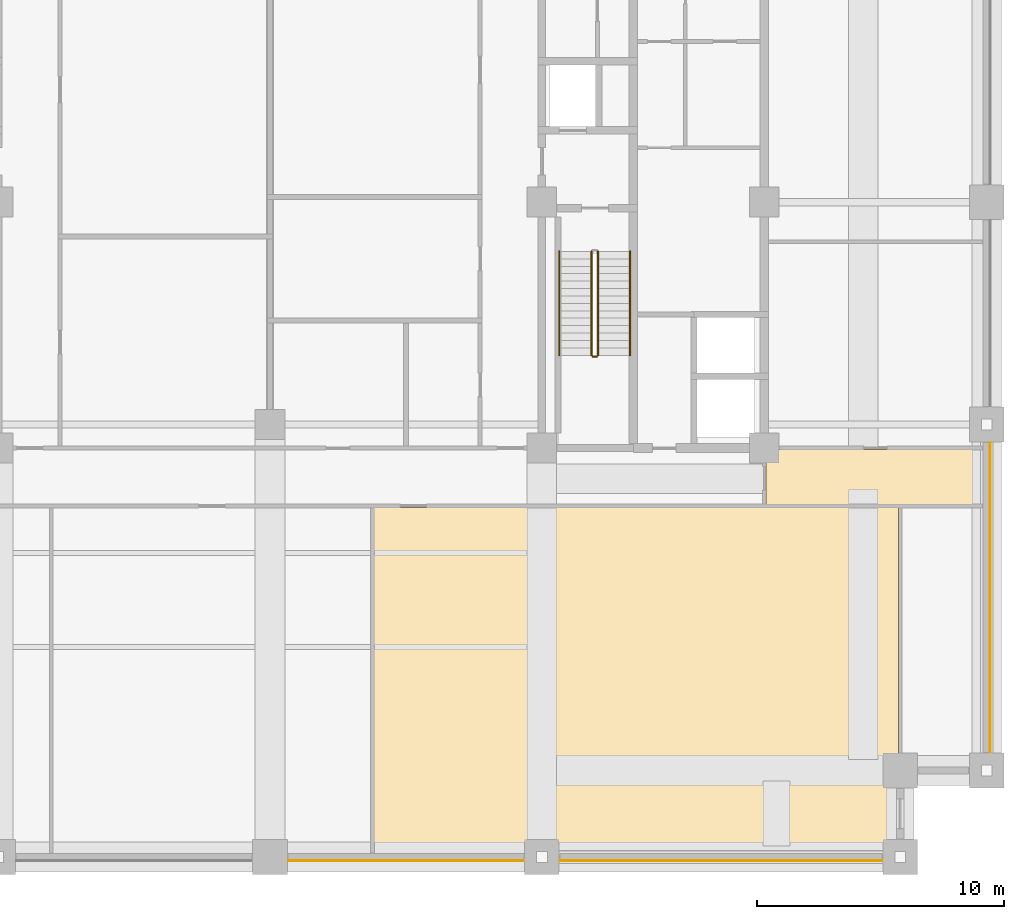
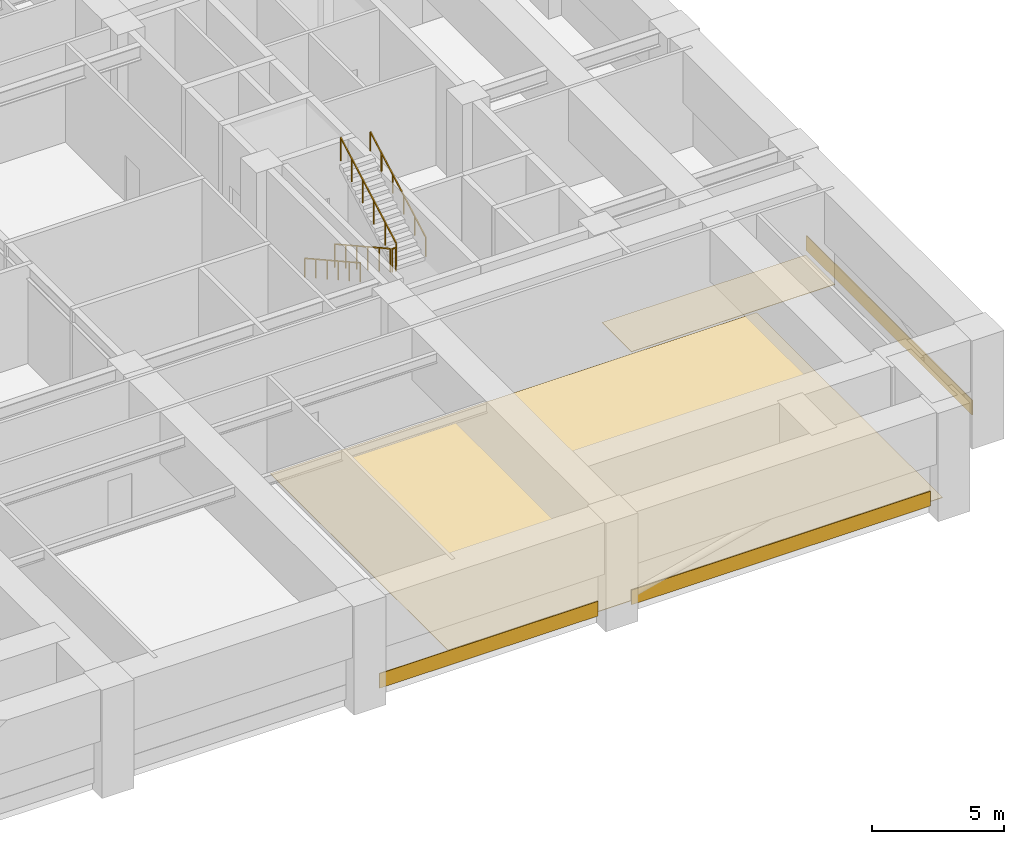
# One storey, part 9 of 11: 5 coverings, 5 railings.
"""IFC4 building model written with IfcOpenShell, lengths in metres."""

import ifcopenshell
import ifcopenshell.guid

model = None  # the IFC model being written
_history = None  # IfcOwnerHistory: only IFC2X3 demands one
_inside = {}  # id of a spatial element -> (the spatial element, [elements in it])
_under = {}  # id of a project, library or spatial element -> (it, [spatial elements below it])
_declared = {}  # id of a project -> (the project, [libraries it declares])
_typed = {}  # id of a type object -> (the type object, [elements of that type])
_made_of = {}  # id of a material, layer set ... -> (it, [elements and type objects made of it])


def new_model(schema):
    """Start an empty IFC model of exactly this schema.

    Asked for "IFC4X3", IfcOpenShell would pick the latest addendum, in which some entities
    have other attributes; the version numbers below select the first issue.
    IFC2X3 requires an IfcOwnerHistory on every rooted entity: one is made here for all.
    """
    global model, _history
    if schema == "IFC4X3":
        model = ifcopenshell.file(schema_version=(4, 3, 0, 0))
    else:
        model = ifcopenshell.file(schema=schema)
    _inside.clear()
    _under.clear()
    _declared.clear()
    _typed.clear()
    _made_of.clear()
    _history = None
    if model.schema == "IFC2X3":
        org = make("IfcOrganization", Name="unknown")
        user = make(
            "IfcPersonAndOrganization",
            ThePerson=make("IfcPerson", FamilyName="unknown"),
            TheOrganization=org,
        )
        app = make(
            "IfcApplication",
            ApplicationDeveloper=org,
            Version="unknown",
            ApplicationFullName="unknown",
            ApplicationIdentifier="unknown",
        )
        _history = make(
            "IfcOwnerHistory",
            OwningUser=user,
            OwningApplication=app,
            ChangeAction="ADDED",
            CreationDate=0,
        )
    return model


def make(cls, **values):
    """One entity of the class cls with the attributes given. An attribute that is None is left unset."""
    return model.create_entity(
        cls, **{name: value for name, value in values.items() if value is not None}
    )


def rooted(cls, **values):
    """An entity with a GlobalId (a new one), such as an element, a storey or a relation."""
    return make(cls, GlobalId=ifcopenshell.guid.new(), OwnerHistory=_history, **values)


def si_unit(unit_type, name, prefix=None):
    """IfcSIUnit, for example si_unit("LENGTHUNIT", "METRE", prefix="MILLI")."""
    return make("IfcSIUnit", UnitType=unit_type, Prefix=prefix, Name=name)


def assignment(units):
    """IfcUnitAssignment: the units of a project."""
    return None if units is None else make("IfcUnitAssignment", Units=units)


def point(xyz):
    """IfcCartesianPoint."""
    return None if xyz is None else make("IfcCartesianPoint", Coordinates=xyz)


def direction(xyz):
    """IfcDirection."""
    return None if xyz is None else make("IfcDirection", DirectionRatios=xyz)


def frame(location, z_axis=None, x_axis=None):
    """IfcAxis2Placement3D, a coordinate frame: its origin and axes. An axis left out is left unset."""
    return make(
        "IfcAxis2Placement3D",
        Location=point(location),
        Axis=direction(z_axis),
        RefDirection=direction(x_axis),
    )


def frame_2d(location, x_axis=None):
    """IfcAxis2Placement2D, a coordinate frame in the plane: its origin and x axis."""
    return make(
        "IfcAxis2Placement2D", Location=point(location), RefDirection=direction(x_axis)
    )


def origin():
    """The frame at (0, 0, 0) with its axes left unset."""
    return frame((0.0, 0.0, 0.0))


def origin_2d():
    """The frame at (0, 0) in the plane with its x axis left unset."""
    return frame_2d((0.0, 0.0))


def place(relative_to, where):
    """IfcLocalPlacement: puts the frame where relative to a parent placement (None: the world)."""
    return make(
        "IfcLocalPlacement", PlacementRelTo=relative_to, RelativePlacement=where
    )


def context(
    kind, dimensions, precision=None, world=None, true_north=None, identifier=None
):
    """IfcGeometricRepresentationContext, for example the 3D "Model" context."""
    return make(
        "IfcGeometricRepresentationContext",
        ContextIdentifier=identifier,
        ContextType=kind,
        CoordinateSpaceDimension=dimensions,
        Precision=precision,
        WorldCoordinateSystem=world,
        TrueNorth=true_north,
    )


def subcontext(parent, identifier, kind, view, scale=None):
    """IfcGeometricRepresentationSubContext, for example "Body" below "Model"."""
    return make(
        "IfcGeometricRepresentationSubContext",
        ContextIdentifier=identifier,
        ContextType=kind,
        ParentContext=parent,
        TargetScale=scale,
        TargetView=view,
    )


def project(units=None, contexts=None):
    """IfcProject with its units and contexts."""
    return rooted(
        "IfcProject",
        Name="project",
        RepresentationContexts=contexts,
        UnitsInContext=assignment(units),
    )


def spatial(cls, under=None, at=None, **own):
    """A site, building, storey or space (cls), placed at a placement, below another one or the project."""
    s = rooted(cls, ObjectPlacement=at, **own)
    if under is not None:
        _under.setdefault(under.id(), (under, []))[1].append(s)
    return s


def polyline(points):
    """IfcPolyline through the points."""
    return make("IfcPolyline", Points=[point(p) for p in points])


def profile(cls, at=None, kind="AREA", **sizes):
    """A parametric profile (cls). Its sizes go by their IFC names, for example OverallWidth=200.0."""
    return make(cls, ProfileType=kind, Position=at, **sizes)


def rectangle(**sizes):
    """IfcRectangleProfileDef."""
    return profile("IfcRectangleProfileDef", **sizes)


def outline(outer, holes=None, kind="AREA"):
    """IfcArbitraryClosedProfileDef: a profile drawn as a closed curve; with holes, ...WithVoids."""
    if holes is None:
        return make("IfcArbitraryClosedProfileDef", ProfileType=kind, OuterCurve=outer)
    return make(
        "IfcArbitraryProfileDefWithVoids",
        ProfileType=kind,
        OuterCurve=outer,
        InnerCurves=holes,
    )


def extrude(swept, where, along, depth):
    """IfcExtrudedAreaSolid: the profile swept, set in the frame where, extruded along a direction by depth."""
    return make(
        "IfcExtrudedAreaSolid",
        SweptArea=swept,
        Position=where,
        ExtrudedDirection=direction(along),
        Depth=depth,
    )


def shape(context_of_items, identifier, shape_type, items):
    """IfcShapeRepresentation: the items that make up one representation, for example the "Body"."""
    return make(
        "IfcShapeRepresentation",
        ContextOfItems=context_of_items,
        RepresentationIdentifier=identifier,
        RepresentationType=shape_type,
        Items=items,
    )


def material(Name=None, Category=None):
    """IfcMaterial."""
    return make("IfcMaterial", Name=Name, Category=Category)


def layer(
    of_material, thickness, ventilated=None, Name=None, Category=None, Priority=None
):
    """IfcMaterialLayer: one layer of a wall or slab, of a material (None: an air gap)."""
    return make(
        "IfcMaterialLayer",
        Material=of_material,
        LayerThickness=thickness,
        IsVentilated=ventilated,
        Name=Name,
        Category=Category,
        Priority=Priority,
    )


def layer_set(layers, Name=None):
    """IfcMaterialLayerSet."""
    return make("IfcMaterialLayerSet", MaterialLayers=layers, LayerSetName=Name)


def made_of(thing, what):
    """Note that an element or type object is made of a material, layer set ...; save() writes the relation."""
    if what is not None:
        _made_of.setdefault(what.id(), (what, []))[1].append(thing)
    return thing


def type_object(cls, material=None, **own):
    """A type object (cls), such as IfcWallType, which elements share."""
    return made_of(rooted(cls, **own), material)


def element(
    cls,
    number,
    at=None,
    inside=None,
    cuts=None,
    type_object=None,
    material=None,
    context=None,
    identifier="Body",
    shape_type=None,
    held_by="IfcProductDefinitionShape",
    body=None,
    shapes=None,
    **own,
):
    """One element of the class cls, such as IfcWall. Its Tag is "e" and its number.

    at: its placement. inside: the storey or other place that contains it. cuts: it is an
    opening in that element (IfcRelVoidsElement). A single representation is given by context,
    identifier, shape_type and body (its items); several are given by shapes. held_by: the class
    of the entity that holds the representations. save() writes the other relations.
    """
    e = rooted(cls, Tag="e%d" % number, ObjectPlacement=at, **own)
    if body is not None:
        shapes = [shape(context, identifier, shape_type, body)]
    if shapes is not None:
        e.Representation = make(held_by, Representations=shapes)
    if inside is not None:
        _inside.setdefault(inside.id(), (inside, []))[1].append(e)
    if cuts is not None:
        rooted(
            "IfcRelVoidsElement", RelatingBuildingElement=cuts, RelatedOpeningElement=e
        )
    if type_object is not None:
        _typed.setdefault(type_object.id(), (type_object, []))[1].append(e)
    return made_of(e, material)


def aggregate(whole, parts):
    """IfcRelAggregates: a whole, such as a stair, and the parts it consists of."""
    return rooted("IfcRelAggregates", RelatingObject=whole, RelatedObjects=parts)


def save(model, path):
    """Write the relations noted so far, then the file.

    IfcRelAggregates (storeys below a building ...), IfcRelContainedInSpatialStructure (elements
    in a storey), IfcRelDefinesByType, IfcRelAssociatesMaterial and IfcRelDeclares: one each for
    every whole, place, type object, material and project.
    """
    for whole, parts in _under.values():
        aggregate(whole, parts)
    for where, things in _inside.values():
        rooted(
            "IfcRelContainedInSpatialStructure",
            RelatedElements=things,
            RelatingStructure=where,
        )
    for kind, things in _typed.values():
        rooted("IfcRelDefinesByType", RelatedObjects=things, RelatingType=kind)
    for what, things in _made_of.values():
        rooted("IfcRelAssociatesMaterial", RelatedObjects=things, RelatingMaterial=what)
    for by, libraries in _declared.values():
        rooted("IfcRelDeclares", RelatingContext=by, RelatedDefinitions=libraries)
    model.write(path)


model = new_model("IFC4")

# Units and contexts
model_context = context("Model", 3, precision=1e-05, world=origin(), true_north=direction((0.0, 1.0)))
body_context = subcontext(model_context, "Body", "Model", "MODEL_VIEW")
ifc_project = project(units=[si_unit("LENGTHUNIT", "METRE"), si_unit("AREAUNIT", "SQUARE_METRE"), si_unit("VOLUMEUNIT", "CUBIC_METRE"), si_unit("PLANEANGLEUNIT", "RADIAN"), si_unit("MASSUNIT", "GRAM", prefix="KILO")], contexts=[model_context])

# Site, building, storey
site_placement = place(None, origin())
site = spatial("IfcSite", under=ifc_project, at=site_placement, CompositionType="ELEMENT")
building_placement = place(site_placement, origin())
building = spatial("IfcBuilding", under=site, at=building_placement, Name="Zulmaris Gate Convention Tower", CompositionType="ELEMENT")
storey_placement = place(building_placement, frame((0.0, 0.0, 52.18994140625)))
storey = spatial("IfcBuildingStorey", under=building, at=storey_placement, Name="L12", CompositionType="ELEMENT", Elevation=52.18994140625)

# Coverings
ifc_material_1 = material(Name="Precast concrete C40/50", Category="concrete")
ifc_layer_1 = layer(ifc_material_1, 0.0400390625, Name="Precast concrete C40/50")
ifc_layer_set_1 = layer_set([ifc_layer_1], Name="Precast concrete C40/50")
covering_type_1 = type_object("IfcCoveringType", Name="CLAD-SPANDREL-PRECAST", PredefinedType="CLADDING", material=ifc_layer_set_1)
covering_1_placement = place(storey_placement, frame((0.72998046875, -26.64990234375, 0.0), z_axis=(0.0, 0.0, 1.0), x_axis=(1.0, 0.0, 0.0)))
element("IfcCovering", 1, at=covering_1_placement, inside=storey, type_object=covering_type_1, Name="CLD-L12-S-2_0", PredefinedType="CLADDING", context=body_context, shape_type="SweptSolid", body=[
    extrude(rectangle(XDim=9.5400390625, YDim=0.0400390625, at=frame_2d((4.77001953125, 0.0))), origin(), (0.0, 0.0, 1.0), 0.679931640625),
])
covering_2_placement = place(storey_placement, frame((11.72998046875, -26.64990234375, 0.0), z_axis=(0.0, 0.0, 1.0), x_axis=(1.0, 0.0, 0.0)))
element("IfcCovering", 2, at=covering_2_placement, inside=storey, type_object=covering_type_1, Name="CLD-L12-S-3_0", PredefinedType="CLADDING", context=body_context, shape_type="SweptSolid", body=[
    extrude(rectangle(XDim=13.0400390625, YDim=0.0400390625, at=frame_2d((6.52001953125, 0.0))), origin(), (0.0, 0.0, 1.0), 0.679931640625),
])
covering_3_placement = place(storey_placement, frame((29.14990234375, -22.27001953125, 0.0), z_axis=(0.0, 0.0, 1.0), x_axis=(0.0, 1.0, 0.0)))
element("IfcCovering", 3, at=covering_3_placement, inside=storey, type_object=covering_type_1, Name="CLD-L12-E-0_0", PredefinedType="CLADDING", context=body_context, shape_type="SweptSolid", body=[
    extrude(rectangle(XDim=12.5400390625, YDim=0.0400390625, at=frame_2d((6.27001953125, 0.0))), origin(), (0.0, 0.0, 1.0), 0.679931640625),
])
ifc_material_2 = material(Name="Woven Acoustic Wool Carpet Tile")
ifc_layer_2 = layer(ifc_material_2, 0.02001953125, Name="Woven Acoustic Wool Carpet Tile")
ifc_layer_set_2 = layer_set([ifc_layer_2], Name="Woven Acoustic Wool Carpet Tile")
covering_type_2 = type_object("IfcCoveringType", Name="FLR-CARPET-12", PredefinedType="FLOORING", material=ifc_layer_set_2)
covering_4_placement = place(storey_placement, origin())
element("IfcCovering", 4, at=covering_4_placement, inside=storey, type_object=covering_type_2, Name="FLR-L12-R41", PredefinedType="FLOORING", context=body_context, shape_type="SweptSolid", body=[
    extrude(outline(polyline([(4.2099609375, -26.43994140625), (25.43994140625, -26.43994140625), (25.43994140625, -12.360107421875), (4.2099609375, -12.360107421875), (4.2099609375, -26.43994140625)])), origin(), (0.0, 0.0, 1.0), 0.02001953125),
])
covering_5_placement = place(storey_placement, origin())
element("IfcCovering", 5, at=covering_5_placement, inside=storey, type_object=covering_type_2, Name="FLR-L12-R52", PredefinedType="FLOORING", context=body_context, shape_type="SweptSolid", body=[
    extrude(outline(polyline([(20.06005859375, -12.239990234375), (28.93994140625, -12.239990234375), (28.93994140625, -10.010009765625), (20.06005859375, -10.010009765625), (20.06005859375, -12.239990234375)])), origin(), (0.0, 0.0, 1.0), 0.02001953125),
])

# Railings
ifc_material_3 = material(Name="Painted Galvanised Steel", Category="steel")
railing_type_1 = type_object("IfcRailingType", Name="RL-STG-1150", PredefinedType="GUARDRAIL", material=ifc_material_3)
railing_1_placement = place(storey_placement, frame((13.010009765625, -2.0, 0.16650390625)))
element("IfcRailing", 6, at=railing_1_placement, inside=storey, type_object=railing_type_1, Name="L12 ST-2 stair guard 1", PredefinedType="GUARDRAIL", context=body_context, shape_type="SweptSolid", body=[
    extrude(rectangle(XDim=0.048095703125, YDim=0.048095703125, at=origin_2d()), frame((0.0, 0.0, 1.076171875), z_axis=(0.0, -0.874140497637, 0.485673131222), x_axis=(1.0, 0.0, 0.0)), (0.0, 0.0, 1.0), 4.8046875),
    extrude(rectangle(XDim=0.0419921875, YDim=0.0419921875, at=origin_2d()), origin(), (0.0, 0.0, 1.0), 1.052001953125),
    extrude(rectangle(XDim=0.0419921875, YDim=0.0419921875, at=origin_2d()), frame((0.0, -0.840087890625, 0.466796875)), (0.0, 0.0, 1.0), 1.052001953125),
    extrude(rectangle(XDim=0.0419921875, YDim=0.0419921875, at=origin_2d()), frame((0.0, -1.679931640625, 0.933349609375)), (0.0, 0.0, 1.0), 1.052001953125),
    extrude(rectangle(XDim=0.0419921875, YDim=0.0419921875, at=origin_2d()), frame((0.0, -2.52001953125, 1.400146484375)), (0.0, 0.0, 1.0), 1.052001953125),
    extrude(rectangle(XDim=0.0419921875, YDim=0.0419921875, at=origin_2d()), frame((0.0, -3.35986328125, 1.86669921875)), (0.0, 0.0, 1.0), 1.052001953125),
    extrude(rectangle(XDim=0.0419921875, YDim=0.0419921875, at=origin_2d()), frame((0.0, -4.199951171875, 2.33349609375)), (0.0, 0.0, 1.0), 1.052001953125),
])
railing_2_placement = place(storey_placement, frame((13.06005859375, -6.25, 2.5)))
element("IfcRailing", 7, at=railing_2_placement, inside=storey, type_object=railing_type_1, Name="L12 ST-2 stair guard 2", PredefinedType="GUARDRAIL", context=body_context, shape_type="SweptSolid", body=[
    extrude(rectangle(XDim=0.048095703125, YDim=0.048095703125, at=origin_2d()), frame((0.0, 0.0, 1.076171875), z_axis=(1.0, 0.0, 0.0), x_axis=(0.0, 1.0, 0.0)), (0.0, 0.0, 1.0), 0.159912109375),
    extrude(rectangle(XDim=0.0419921875, YDim=0.0419921875, at=origin_2d()), origin(), (0.0, 0.0, 1.0), 1.052001953125),
    extrude(rectangle(XDim=0.0419921875, YDim=0.0419921875, at=origin_2d()), frame((0.159912109375, 0.0, 0.0)), (0.0, 0.0, 1.0), 1.052001953125),
])
railing_3_placement = place(storey_placement, frame((13.27001953125, -6.199951171875, 2.66650390625)))
element("IfcRailing", 8, at=railing_3_placement, inside=storey, type_object=railing_type_1, Name="L12 ST-2 stair guard 3", PredefinedType="GUARDRAIL", context=body_context, shape_type="SweptSolid", body=[
    extrude(rectangle(XDim=0.048095703125, YDim=0.048095703125, at=origin_2d()), frame((0.0, 0.0, 1.076171875), z_axis=(0.0, 0.874140497637, 0.485673131222), x_axis=(-1.0, 0.0, 0.0)), (0.0, 0.0, 1.0), 4.8046875),
    extrude(rectangle(XDim=0.0419921875, YDim=0.0419921875, at=origin_2d()), origin(), (0.0, 0.0, 1.0), 1.052001953125),
    extrude(rectangle(XDim=0.0419921875, YDim=0.0419921875, at=origin_2d()), frame((0.0, 0.840087890625, 0.466796875)), (0.0, 0.0, 1.0), 1.052001953125),
    extrude(rectangle(XDim=0.0419921875, YDim=0.0419921875, at=origin_2d()), frame((0.0, 1.679931640625, 0.933349609375)), (0.0, 0.0, 1.0), 1.052001953125),
    extrude(rectangle(XDim=0.0419921875, YDim=0.0419921875, at=origin_2d()), frame((0.0, 2.52001953125, 1.400146484375)), (0.0, 0.0, 1.0), 1.052001953125),
    extrude(rectangle(XDim=0.0419921875, YDim=0.0419921875, at=origin_2d()), frame((0.0, 3.35986328125, 1.86669921875)), (0.0, 0.0, 1.0), 1.052001953125),
    extrude(rectangle(XDim=0.0419921875, YDim=0.0419921875, at=origin_2d()), frame((0.0, 4.199951171875, 2.33349609375)), (0.0, 0.0, 1.0), 1.052001953125),
])
ifc_material_4 = material(Name="Brushed Stainless Steel", Category="steel")
railing_type_2 = type_object("IfcRailingType", Name="RL-STH-900", PredefinedType="HANDRAIL", material=ifc_material_4)
railing_4_placement = place(storey_placement, frame((11.7099609375, -2.0, 0.16650390625)))
element("IfcRailing", 9, at=railing_4_placement, inside=storey, type_object=railing_type_2, Name="L12 ST-2 stair handrail 1", PredefinedType="HANDRAIL", context=body_context, shape_type="SweptSolid", body=[
    extrude(rectangle(XDim=0.048095703125, YDim=0.048095703125, at=origin_2d()), frame((0.0, 0.0, 0.8759765625), z_axis=(0.0, -0.874140497637, 0.485673131222), x_axis=(1.0, 0.0, 0.0)), (0.0, 0.0, 1.0), 4.8046875),
    extrude(rectangle(XDim=0.0419921875, YDim=0.0419921875, at=origin_2d()), origin(), (0.0, 0.0, 1.0), 0.851806640625),
    extrude(rectangle(XDim=0.0419921875, YDim=0.0419921875, at=origin_2d()), frame((0.0, -0.840087890625, 0.466796875)), (0.0, 0.0, 1.0), 0.851806640625),
    extrude(rectangle(XDim=0.0419921875, YDim=0.0419921875, at=origin_2d()), frame((0.0, -1.679931640625, 0.933349609375)), (0.0, 0.0, 1.0), 0.851806640625),
    extrude(rectangle(XDim=0.0419921875, YDim=0.0419921875, at=origin_2d()), frame((0.0, -2.52001953125, 1.400146484375)), (0.0, 0.0, 1.0), 0.851806640625),
    extrude(rectangle(XDim=0.0419921875, YDim=0.0419921875, at=origin_2d()), frame((0.0, -3.35986328125, 1.86669921875)), (0.0, 0.0, 1.0), 0.851806640625),
    extrude(rectangle(XDim=0.0419921875, YDim=0.0419921875, at=origin_2d()), frame((0.0, -4.199951171875, 2.33349609375)), (0.0, 0.0, 1.0), 0.851806640625),
])
railing_5_placement = place(storey_placement, frame((14.570068359375, -6.199951171875, 2.66650390625)))
element("IfcRailing", 10, at=railing_5_placement, inside=storey, type_object=railing_type_2, Name="L12 ST-2 stair handrail 2", PredefinedType="HANDRAIL", context=body_context, shape_type="SweptSolid", body=[
    extrude(rectangle(XDim=0.048095703125, YDim=0.048095703125, at=origin_2d()), frame((0.0, 0.0, 0.8759765625), z_axis=(0.0, 0.874140497637, 0.485673131222), x_axis=(-1.0, 0.0, 0.0)), (0.0, 0.0, 1.0), 4.8046875),
    extrude(rectangle(XDim=0.0419921875, YDim=0.0419921875, at=origin_2d()), origin(), (0.0, 0.0, 1.0), 0.851806640625),
    extrude(rectangle(XDim=0.0419921875, YDim=0.0419921875, at=origin_2d()), frame((0.0, 0.840087890625, 0.466796875)), (0.0, 0.0, 1.0), 0.851806640625),
    extrude(rectangle(XDim=0.0419921875, YDim=0.0419921875, at=origin_2d()), frame((0.0, 1.679931640625, 0.933349609375)), (0.0, 0.0, 1.0), 0.851806640625),
    extrude(rectangle(XDim=0.0419921875, YDim=0.0419921875, at=origin_2d()), frame((0.0, 2.52001953125, 1.400146484375)), (0.0, 0.0, 1.0), 0.851806640625),
    extrude(rectangle(XDim=0.0419921875, YDim=0.0419921875, at=origin_2d()), frame((0.0, 3.35986328125, 1.86669921875)), (0.0, 0.0, 1.0), 0.851806640625),
    extrude(rectangle(XDim=0.0419921875, YDim=0.0419921875, at=origin_2d()), frame((0.0, 4.199951171875, 2.33349609375)), (0.0, 0.0, 1.0), 0.851806640625),
])

save(model, "model.ifc")
